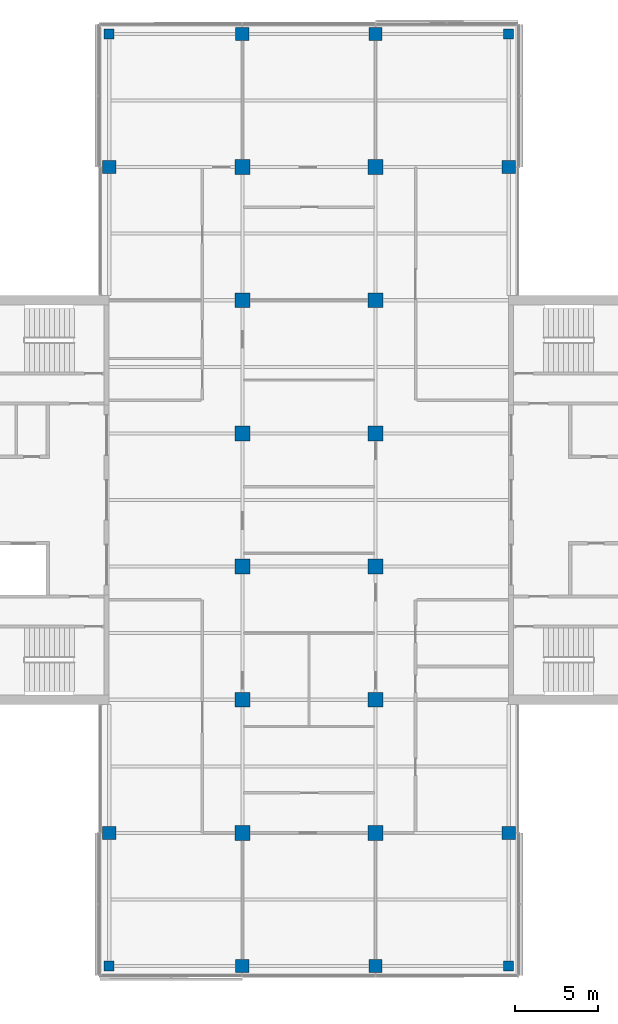
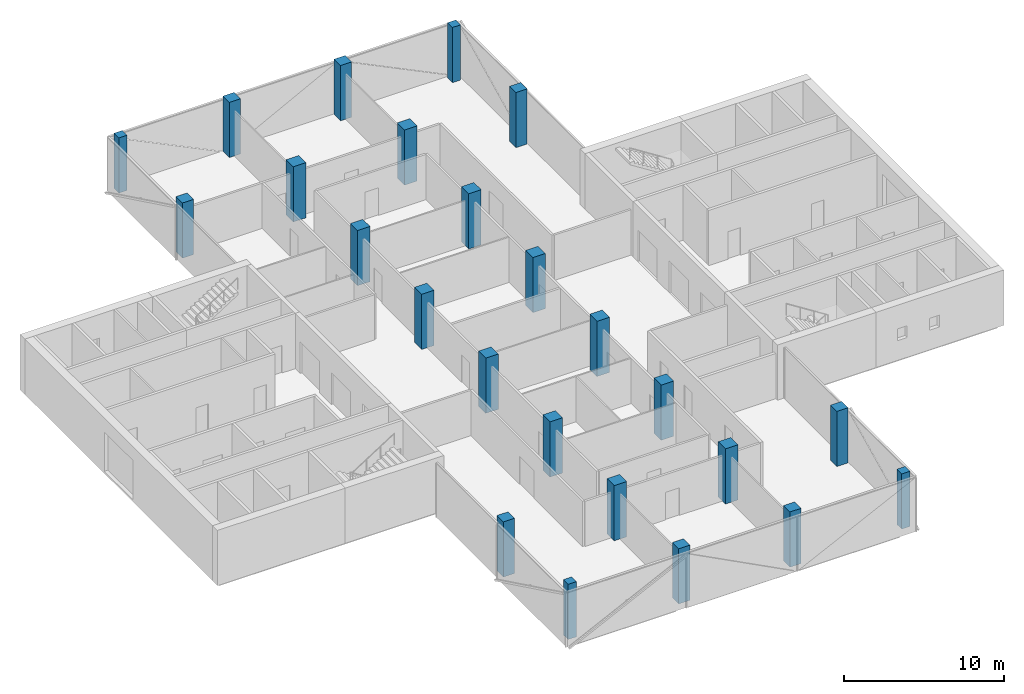
# One storey, part 1 of 15: 24 columns.
"""IFC4 building model written with IfcOpenShell, lengths in metres."""

from ifc_helpers import new_model, si_unit, direction, frame, origin, origin_2d, place, context, subcontext, project, spatial, rectangle, extrude, material, material_profile, profile_set, type_object, element, save


model = new_model("IFC4")

# Units and contexts
model_context = context("Model", 3, precision=1e-05, world=origin(), true_north=direction((0.0, 1.0)))
body_context = subcontext(model_context, "Body", "Model", "MODEL_VIEW")
ifc_project = project(units=[si_unit("LENGTHUNIT", "METRE"), si_unit("AREAUNIT", "SQUARE_METRE"), si_unit("VOLUMEUNIT", "CUBIC_METRE"), si_unit("PLANEANGLEUNIT", "RADIAN"), si_unit("MASSUNIT", "GRAM", prefix="KILO")], contexts=[model_context])

# Site, building, storey
site_placement = place(None, origin())
site = spatial("IfcSite", under=ifc_project, at=site_placement, CompositionType="ELEMENT")
building_placement = place(site_placement, origin())
building = spatial("IfcBuilding", under=site, at=building_placement, Name="Crosswind Convention Tower", CompositionType="ELEMENT")
storey_placement = place(building_placement, frame((0.0, 0.0, 191.5)))
storey = spatial("IfcBuildingStorey", under=building, at=storey_placement, Name="L40", CompositionType="ELEMENT", Elevation=191.5)

# Columns
ifc_material = material(Name="Concrete C60/75", Category="concrete")
ifc_material_profile_1 = material_profile(ifc_material, rectangle(XDim=0.60009765625, YDim=0.60009765625, at=origin_2d()), Name="RC 600X600")
ifc_profile_set_1 = profile_set([ifc_material_profile_1], Name="Concrete C60/75")
column_type_1 = type_object("IfcColumnType", Name="Column RC 600X600", PredefinedType="COLUMN", material=ifc_profile_set_1)
for number, where, z_axis, x_axis, name in (
    (1, (113.0, 72.0, 0.0), (0.0, 0.0, 1.0), (1.0, 0.0, 0.0), "C16 L40 5/C"),
    (2, (113.0, 128.0, 0.0), (0.0, 0.0, 1.0), (1.0, 0.0, 0.0), "C16 L40 5/J"),
    (3, (137.0, 72.0, 0.0), (0.0, 0.0, 1.0), (1.0, 0.0, 0.0), "C16 L40 8/C"),
    (4, (137.0, 128.0, 0.0), (0.0, 0.0, 1.0), (1.0, 0.0, 0.0), "C16 L40 8/J"),
):
    element("IfcColumn", number, at=place(storey_placement, frame(where, z_axis=z_axis, x_axis=x_axis)), inside=storey, type_object=column_type_1, Name=name, PredefinedType="COLUMN", context=body_context, shape_type="SweptSolid", body=[
        extrude(rectangle(XDim=0.60009765625, YDim=0.60009765625, at=origin_2d()), origin(), (0.0, 0.0, 1.0), 4.199951171875),
    ])
ifc_material_profile_2 = material_profile(ifc_material, rectangle(XDim=0.800048828125, YDim=0.800048828125, at=origin_2d()), Name="RC 800X800")
ifc_profile_set_2 = profile_set([ifc_material_profile_2], Name="Concrete C60/75")
column_type_2 = type_object("IfcColumnType", Name="Column RC 800X800", PredefinedType="COLUMN", material=ifc_profile_set_2)
for number, where, z_axis, x_axis, name in (
    (5, (113.0, 80.0, 0.0), (0.0, 0.0, 1.0), (1.0, 0.0, 0.0), "C14 L40 5/D"),
    (6, (113.0, 120.0, 0.0), (0.0, 0.0, 1.0), (1.0, 0.0, 0.0), "C14 L40 5/I"),
    (7, (121.0, 72.0, 0.0), (0.0, 0.0, 1.0), (1.0, 0.0, 0.0), "C14 L40 6/C"),
    (8, (121.0, 128.0, 0.0), (0.0, 0.0, 1.0), (1.0, 0.0, 0.0), "C14 L40 6/J"),
    (9, (129.0, 72.0, 0.0), (0.0, 0.0, 1.0), (1.0, 0.0, 0.0), "C14 L40 7/C"),
    (10, (129.0, 128.0, 0.0), (0.0, 0.0, 1.0), (1.0, 0.0, 0.0), "C14 L40 7/J"),
    (11, (137.0, 80.0, 0.0), (0.0, 0.0, 1.0), (1.0, 0.0, 0.0), "C14 L40 8/D"),
    (12, (137.0, 120.0, 0.0), (0.0, 0.0, 1.0), (1.0, 0.0, 0.0), "C14 L40 8/I"),
):
    element("IfcColumn", number, at=place(storey_placement, frame(where, z_axis=z_axis, x_axis=x_axis)), inside=storey, type_object=column_type_2, Name=name, PredefinedType="COLUMN", context=body_context, shape_type="SweptSolid", body=[
        extrude(rectangle(XDim=0.800048828125, YDim=0.800048828125, at=origin_2d()), origin(), (0.0, 0.0, 1.0), 4.199951171875),
    ])
ifc_material_profile_3 = material_profile(ifc_material, rectangle(XDim=0.89990234375, YDim=0.89990234375, at=origin_2d()), Name="RC 900X900")
ifc_profile_set_3 = profile_set([ifc_material_profile_3], Name="Concrete C60/75")
column_type_3 = type_object("IfcColumnType", Name="Column RC 900X900", PredefinedType="COLUMN", material=ifc_profile_set_3)
for number, where, z_axis, x_axis, name in (
    (13, (121.0, 80.0, 0.0), (0.0, 0.0, 1.0), (1.0, 0.0, 0.0), "C13 L40 6/D"),
    (14, (121.0, 88.0, 0.0), (0.0, 0.0, 1.0), (1.0, 0.0, 0.0), "C13 L40 6/E"),
    (15, (121.0, 96.0, 0.0), (0.0, 0.0, 1.0), (1.0, 0.0, 0.0), "C13 L40 6/F"),
    (16, (121.0, 104.0, 0.0), (0.0, 0.0, 1.0), (1.0, 0.0, 0.0), "C13 L40 6/G"),
    (17, (121.0, 112.0, 0.0), (0.0, 0.0, 1.0), (1.0, 0.0, 0.0), "C13 L40 6/H"),
    (18, (121.0, 120.0, 0.0), (0.0, 0.0, 1.0), (1.0, 0.0, 0.0), "C13 L40 6/I"),
    (19, (129.0, 80.0, 0.0), (0.0, 0.0, 1.0), (1.0, 0.0, 0.0), "C13 L40 7/D"),
    (20, (129.0, 88.0, 0.0), (0.0, 0.0, 1.0), (1.0, 0.0, 0.0), "C13 L40 7/E"),
    (21, (129.0, 96.0, 0.0), (0.0, 0.0, 1.0), (1.0, 0.0, 0.0), "C13 L40 7/F"),
    (22, (129.0, 104.0, 0.0), (0.0, 0.0, 1.0), (1.0, 0.0, 0.0), "C13 L40 7/G"),
    (23, (129.0, 112.0, 0.0), (0.0, 0.0, 1.0), (1.0, 0.0, 0.0), "C13 L40 7/H"),
    (24, (129.0, 120.0, 0.0), (0.0, 0.0, 1.0), (1.0, 0.0, 0.0), "C13 L40 7/I"),
):
    element("IfcColumn", number, at=place(storey_placement, frame(where, z_axis=z_axis, x_axis=x_axis)), inside=storey, type_object=column_type_3, Name=name, PredefinedType="COLUMN", context=body_context, shape_type="SweptSolid", body=[
        extrude(rectangle(XDim=0.89990234375, YDim=0.89990234375, at=origin_2d()), origin(), (0.0, 0.0, 1.0), 4.199951171875),
    ])

save(model, "model.ifc")
